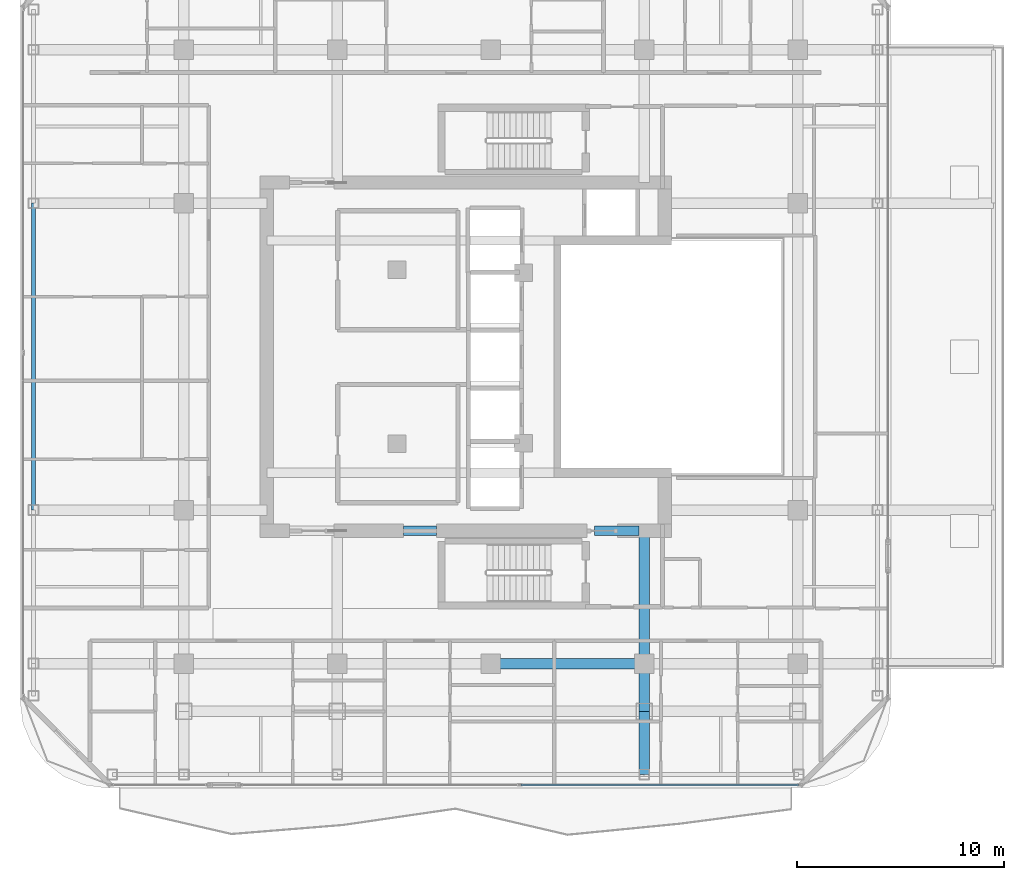
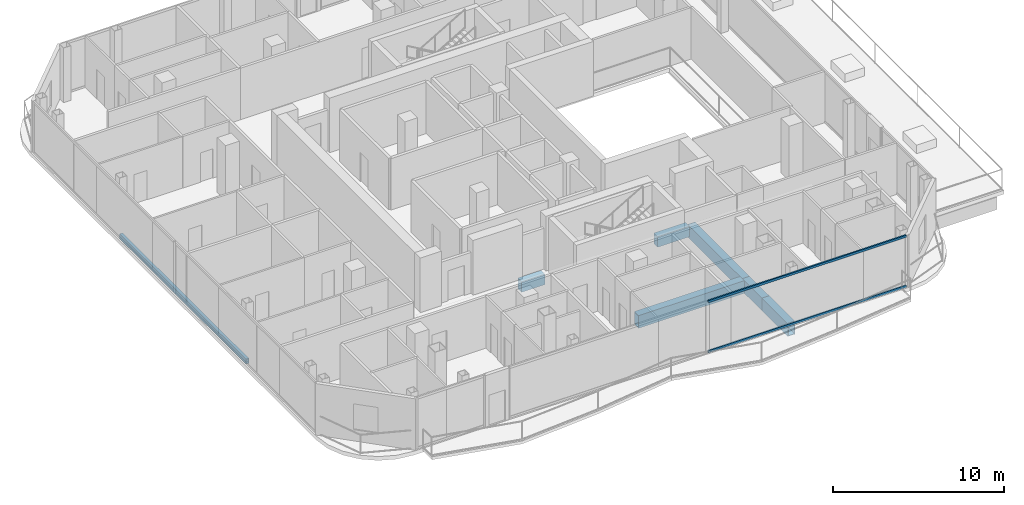
# One storey, part 5 of 24: 7 beams, 2 members, 1 element without a shape of its own.
"""IFC4 building model written with IfcOpenShell, lengths in metres."""

from ifc_helpers import new_model, si_unit, direction, frame, origin, origin_2d, place, context, subcontext, project, spatial, rectangle, hollow_rectangle, extrude, material, layer, layer_set, material_profile, profile_set, type_object, element, aggregate, save


model = new_model("IFC4")

# Units and contexts
model_context = context("Model", 3, precision=1e-05, world=origin(), true_north=direction((0.0, 1.0)))
body_context = subcontext(model_context, "Body", "Model", "MODEL_VIEW")
ifc_project = project(units=[si_unit("LENGTHUNIT", "METRE"), si_unit("AREAUNIT", "SQUARE_METRE"), si_unit("VOLUMEUNIT", "CUBIC_METRE"), si_unit("PLANEANGLEUNIT", "RADIAN"), si_unit("MASSUNIT", "GRAM", prefix="KILO")], contexts=[model_context])

# Site, building, storey
site_placement = place(None, origin())
site = spatial("IfcSite", under=ifc_project, at=site_placement, CompositionType="ELEMENT")
building_placement = place(site_placement, origin())
building = spatial("IfcBuilding", under=site, at=building_placement, Name="Khorvyn Point Tower", CompositionType="ELEMENT")
storey_placement = place(building_placement, frame((0.0, 0.0, 285.89990234375)))
storey = spatial("IfcBuildingStorey", under=building, at=storey_placement, Name="L70", CompositionType="ELEMENT", Elevation=285.89990234375)

# Curtain wall, members
ifc_material_1 = material(Name="Anodised aluminium 6063-T6 and laminated Low-E glass", Category="aluminium")
ifc_layer = layer(ifc_material_1, 0.18994140625)
ifc_layer_set = layer_set([ifc_layer], Name="Stick-Built High-Wind Curtain Wall CW-SYS-04")
curtain_wall_type = type_object("IfcCurtainWallType", Name="Stick-Built High-Wind Curtain Wall CW-SYS-04", PredefinedType="NOTDEFINED", material=ifc_layer_set)
curtain_wall_placement = place(storey_placement, origin())
curtain_wall = element("IfcCurtainWall", 1, at=curtain_wall_placement, inside=storey, type_object=curtain_wall_type, Name="Curtain Wall", PredefinedType="NOTDEFINED")
ifc_material_2 = material(Name="Anodised aluminium 6063-T6", Category="aluminium")
ifc_material_profile_1 = material_profile(ifc_material_2, hollow_rectangle(XDim=0.10009765625, YDim=0.159912109375, WallThickness=0.00439453125, at=origin_2d()))
ifc_profile_set_1 = profile_set([ifc_material_profile_1], Name="Anodised aluminium 6063-T6 ALU-TRN-100x160")
member_type = type_object("IfcMemberType", Name="Anodised Aluminium 6063-T6 Transom ALU-TRN-100x160", PredefinedType="USERDEFINED", material=ifc_profile_set_1)
member_1_placement = place(storey_placement, frame((14.85009765625, -20.64990234375, 0.050048828125), z_axis=(-1.0, 0.0, 0.0), x_axis=(0.0, -1.0, 0.0)))
member_1 = element("IfcMember", 2, at=member_1_placement, type_object=member_type, Name="Transom", ObjectType="TRANSOM", PredefinedType="USERDEFINED", context=body_context, shape_type="SweptSolid", body=[
    extrude(hollow_rectangle(XDim=0.10009765625, YDim=0.159912109375, WallThickness=0.00439453125, at=origin_2d()), origin(), (0.0, 0.0, 1.0), 13.39501953125),
])
member_2_placement = place(storey_placement, frame((14.85009765625, -20.64990234375, 3.630126953125), z_axis=(-1.0, 0.0, 0.0), x_axis=(0.0, -1.0, 0.0)))
member_2 = element("IfcMember", 3, at=member_2_placement, type_object=member_type, Name="Transom", ObjectType="TRANSOM", PredefinedType="USERDEFINED", context=body_context, shape_type="SweptSolid", body=[
    extrude(hollow_rectangle(XDim=0.10009765625, YDim=0.159912109375, WallThickness=0.00439453125, at=origin_2d()), origin(), (0.0, 0.0, 1.0), 13.39501953125),
])
aggregate(curtain_wall, [member_1, member_2])

# Beams
ifc_material_3 = material(Name="Concrete C40/50", Category="concrete")
ifc_material_profile_2 = material_profile(ifc_material_3, rectangle(XDim=0.449951171875, YDim=0.75, at=origin_2d()))
ifc_profile_set_2 = profile_set([ifc_material_profile_2], Name="Concrete C40/50 RC450x750")
beam_type_1 = type_object("IfcBeamType", Name="Concrete C40/50 Beam RC450x750", PredefinedType="BEAM", material=ifc_profile_set_2)
beam_1_placement = place(storey_placement, frame((-4.199951171875, -8.39990234375, -0.65478515625), z_axis=(1.0, 0.0, 0.0), x_axis=(0.0, 1.0, 0.0)))
element("IfcBeam", 4, at=beam_1_placement, inside=storey, type_object=beam_type_1, Name="L70 Core Shuttle Portal Coupling Beam", PredefinedType="BEAM", context=body_context, shape_type="SweptSolid", body=[
    extrude(rectangle(XDim=0.449951171875, YDim=0.75, at=origin_2d()), origin(), (0.0, 0.0, 1.0), 1.579833984375),
])
beam_2_placement = place(storey_placement, frame((5.0, -8.39990234375, -0.65478515625), z_axis=(1.0, 0.0, 0.0), x_axis=(0.0, 1.0, 0.0)))
element("IfcBeam", 5, at=beam_2_placement, inside=storey, type_object=beam_type_1, Name="L70 Core Southeast Portal Coupling Beam", PredefinedType="BEAM", context=body_context, shape_type="SweptSolid", body=[
    extrude(rectangle(XDim=0.449951171875, YDim=0.75, at=origin_2d()), origin(), (0.0, 0.0, 1.0), 2.14990234375),
])
ifc_material_4 = material(Name="Steel S355", Category="steel")
ifc_material_profile_3 = material_profile(ifc_material_4, hollow_rectangle(XDim=0.199951171875, YDim=0.35009765625, WallThickness=0.013916015625, at=origin_2d()))
ifc_profile_set_3 = profile_set([ifc_material_profile_3], Name="Steel S355 RHS350x200x14")
beam_type_2 = type_object("IfcBeamType", Name="Steel S355 Spandrel RHS350x200x14", PredefinedType="SPANDREL", material=ifc_profile_set_3)
beam_3_placement = place(storey_placement, frame((-22.050048828125, -7.39990234375, -0.454833984375), z_axis=(0.0, 1.0, 0.0), x_axis=(-1.0, 0.0, 0.0)))
element("IfcBeam", 6, at=beam_3_placement, inside=storey, type_object=beam_type_2, Name="Beam", PredefinedType="SPANDREL", context=body_context, shape_type="SweptSolid", body=[
    extrude(hollow_rectangle(XDim=0.199951171875, YDim=0.35009765625, WallThickness=0.013916015625, at=origin_2d()), origin(), (0.0, 0.0, 1.0), 14.7998046875),
])
ifc_material_5 = material(Name="Steel S450", Category="steel")
ifc_material_profile_4 = material_profile(ifc_material_5, hollow_rectangle(XDim=0.5, YDim=0.89990234375, WallThickness=0.0400390625, at=origin_2d()))
ifc_profile_set_4 = profile_set([ifc_material_profile_4], Name="Steel S450 BOX900x500x40")
beam_type_3 = type_object("IfcBeamType", Name="Steel S450 Beam BOX900x500x40", PredefinedType="BEAM", material=ifc_profile_set_4)
beam_4_placement = place(storey_placement, frame((0.0, -14.800048828125, -0.72998046875), z_axis=(1.0, 0.0, 0.0), x_axis=(0.0, 1.0, 0.0)))
element("IfcBeam", 7, at=beam_4_placement, inside=storey, type_object=beam_type_3, Name="L70 Radial Transfer Girder", PredefinedType="BEAM", context=body_context, shape_type="SweptSolid", body=[
    extrude(hollow_rectangle(XDim=0.5, YDim=0.89990234375, WallThickness=0.0400390625, at=origin_2d()), origin(), (0.0, 0.0, 1.0), 7.39990234375),
])
beam_5_placement = place(storey_placement, frame((7.39990234375, -20.14990234375, -0.72998046875), z_axis=(0.0, 1.0, 0.0), x_axis=(-1.0, 0.0, 0.0)))
element("IfcBeam", 8, at=beam_5_placement, inside=storey, type_object=beam_type_3, Name="Beam", PredefinedType="BEAM", context=body_context, shape_type="SweptSolid", body=[
    extrude(hollow_rectangle(XDim=0.5, YDim=0.89990234375, WallThickness=0.0400390625, at=origin_2d()), origin(), (0.0, 0.0, 1.0), 3.0498046875),
])
beam_6_placement = place(storey_placement, frame((7.39990234375, -17.10009765625, -0.72998046875), z_axis=(0.0, 1.0, 0.0), x_axis=(-1.0, 0.0, 0.0)))
element("IfcBeam", 9, at=beam_6_placement, inside=storey, type_object=beam_type_3, Name="Beam", PredefinedType="BEAM", context=body_context, shape_type="SweptSolid", body=[
    extrude(hollow_rectangle(XDim=0.5, YDim=0.89990234375, WallThickness=0.0400390625, at=origin_2d()), origin(), (0.0, 0.0, 1.0), 2.300048828125),
])
beam_7_placement = place(storey_placement, frame((7.39990234375, -14.800048828125, -0.72998046875), z_axis=(0.0, 1.0, 0.0), x_axis=(-1.0, 0.0, 0.0)))
element("IfcBeam", 10, at=beam_7_placement, inside=storey, type_object=beam_type_3, Name="Beam", PredefinedType="BEAM", context=body_context, shape_type="SweptSolid", body=[
    extrude(hollow_rectangle(XDim=0.5, YDim=0.89990234375, WallThickness=0.0400390625, at=origin_2d()), origin(), (0.0, 0.0, 1.0), 6.400146484375),
])

save(model, "model.ifc")
